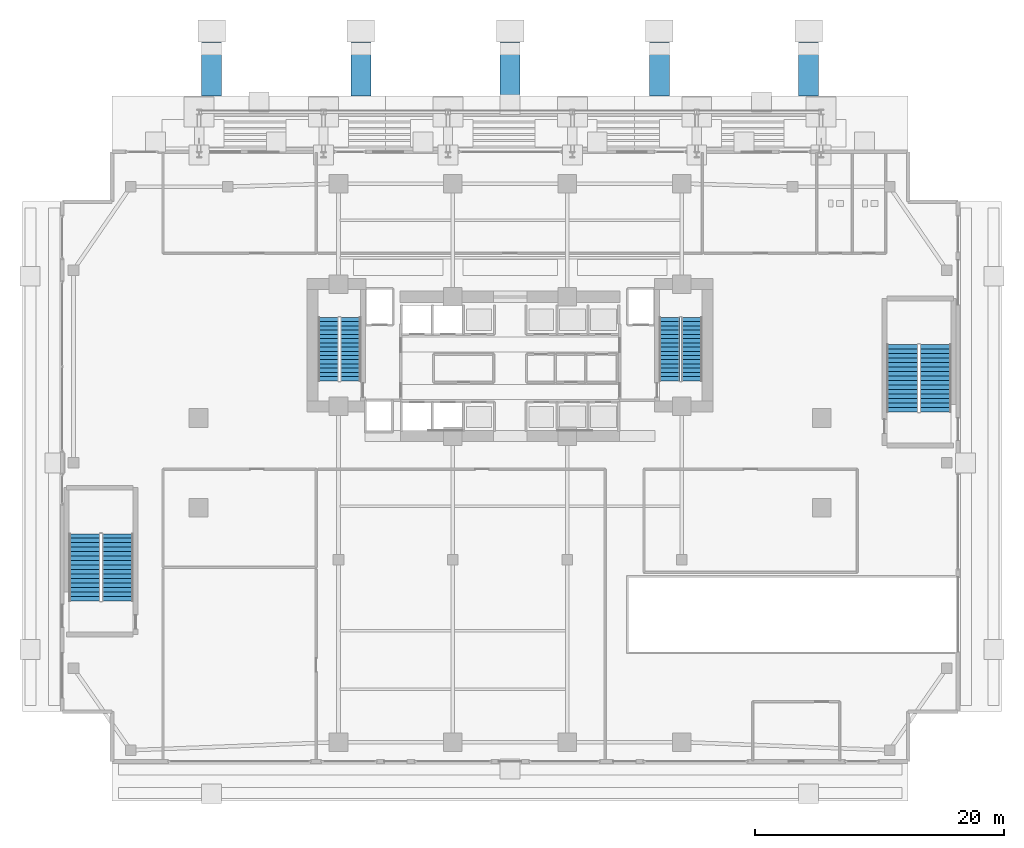
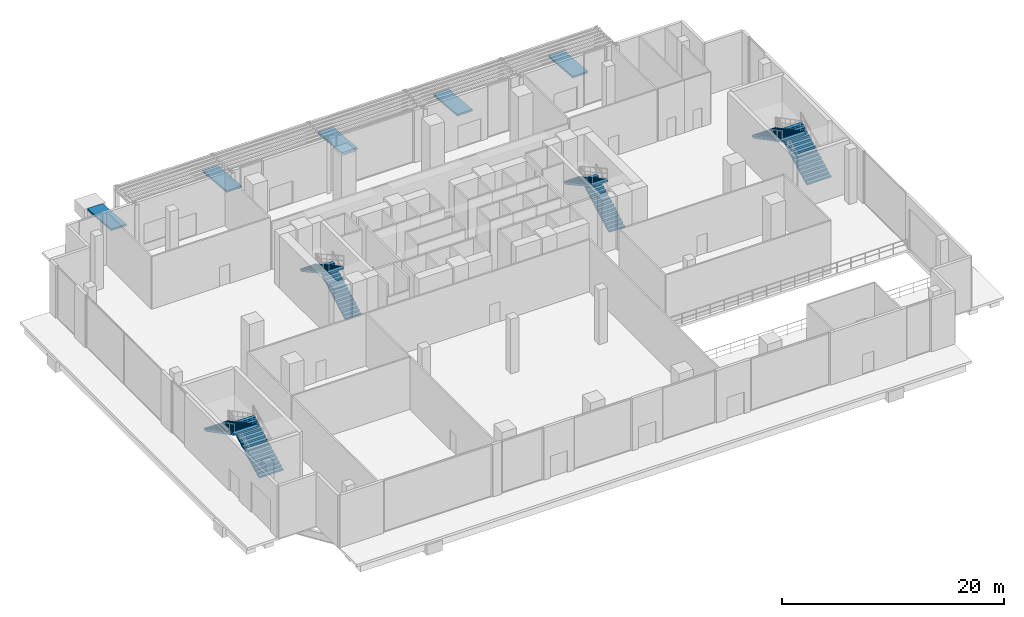
# One storey, part 32 of 39: 8 stair flights, 5 ramp flights, 9 elements without a shape of their own.
"""IFC4 building model written with IfcOpenShell, lengths in metres."""

from ifc_helpers import new_model, si_unit, direction, frame, origin, place, context, subcontext, project, spatial, polyline, outline, extrude, material, layer, layer_set, type_object, element, aggregate, save


model = new_model("IFC4")

# Units and contexts
model_context = context("Model", 3, precision=1e-05, world=origin(), true_north=direction((0.0, 1.0)))
body_context = subcontext(model_context, "Body", "Model", "MODEL_VIEW")
ifc_project = project(units=[si_unit("LENGTHUNIT", "METRE"), si_unit("AREAUNIT", "SQUARE_METRE"), si_unit("VOLUMEUNIT", "CUBIC_METRE"), si_unit("PLANEANGLEUNIT", "RADIAN"), si_unit("MASSUNIT", "GRAM", prefix="KILO")], contexts=[model_context])

# Site, building, storey
site_placement = place(None, origin())
site = spatial("IfcSite", under=ifc_project, at=site_placement, CompositionType="ELEMENT")
building_placement = place(site_placement, origin())
building = spatial("IfcBuilding", under=site, at=building_placement, Name="Zuhayl Quay Hotel", CompositionType="ELEMENT")
storey_placement = place(building_placement, origin())
storey = spatial("IfcBuildingStorey", under=building, at=storey_placement, Name="L00", CompositionType="ELEMENT", Elevation=0.0)

# Stair, stair flights
ifc_material = material(Name="Concrete C45/55", Category="concrete")
stair_type_1 = type_object("IfcStairType", Name="ST_DOGLEG_PODIUM", PredefinedType="HALF_TURN_STAIR", material=ifc_material)
stair_1_placement = place(storey_placement, origin())
stair_1 = element("IfcStair", 1, at=stair_1_placement, inside=storey, type_object=stair_type_1, Name="L00 Smokeproof Exit Stair ST3", PredefinedType="HALF_TURN_STAIR")
ifc_layer_1 = layer(ifc_material, 0.159912109375, Name="Concrete C45/55", Category="concrete")
ifc_layer_set_1 = layer_set([ifc_layer_1], Name="Concrete C45/55")
stair_flight_type_1 = type_object("IfcStairFlightType", Name="SF_CONC_160", PredefinedType="STRAIGHT", material=ifc_layer_set_1)
stair_flight_1_placement = place(storey_placement, frame((-31.550048828125, -11.10009765625, 0.0), z_axis=(0.0, 0.0, 1.0), x_axis=(0.0, 1.0, 0.0)))
stair_flight_1 = element("IfcStairFlight", 2, at=stair_flight_1_placement, type_object=stair_flight_type_1, Name="ST3 flight 1", NumberOfRisers=16, NumberOfTreads=15, PredefinedType="STRAIGHT", RiserHeight=0.1875, TreadLength=0.36, context=body_context, shape_type="SweptSolid", body=[
    extrude(outline(polyline([(0.0, 0.0), (0.0, 0.1875), (0.360107421875, 0.1875), (0.360107421875, 0.375), (0.719970703125, 0.375), (0.719970703125, 0.5625), (1.080078125, 0.5625), (1.080078125, 0.75), (1.43994140625, 0.75), (1.43994140625, 0.9375), (1.800048828125, 0.9375), (1.800048828125, 1.125), (2.159912109375, 1.125), (2.159912109375, 1.3125), (2.52001953125, 1.3125), (2.52001953125, 1.5), (2.8798828125, 1.5), (2.8798828125, 1.6875), (3.239990234375, 1.6875), (3.239990234375, 1.875), (3.60009765625, 1.875), (3.60009765625, 2.0625), (3.9599609375, 2.0625), (3.9599609375, 2.25), (4.320068359375, 2.25), (4.320068359375, 2.4375), (4.679931640625, 2.4375), (4.679931640625, 2.625), (5.0400390625, 2.625), (5.0400390625, 2.8125), (5.39990234375, 2.8125), (5.39990234375, 3.0), (5.39990234375, 2.6435546875), (0.324462890625, 0.0), (0.0, 0.0)])), frame((0.0, 1.25, 0.0), z_axis=(0.0, -1.0, 0.0), x_axis=(1.0, 0.0, 0.0)), (0.0, 0.0, 1.0), 2.5),
])
stair_flight_2_placement = place(storey_placement, frame((-34.199951171875, -5.699951171875, 3.0), z_axis=(0.0, 0.0, 1.0), x_axis=(0.0, -1.0, 0.0)))
stair_flight_2 = element("IfcStairFlight", 3, at=stair_flight_2_placement, type_object=stair_flight_type_1, Name="ST3 flight 2", NumberOfRisers=16, NumberOfTreads=15, PredefinedType="STRAIGHT", RiserHeight=0.1875, TreadLength=0.36, context=body_context, shape_type="SweptSolid", body=[
    extrude(outline(polyline([(0.0, 0.0), (0.0, 0.1875), (0.360107421875, 0.1875), (0.360107421875, 0.375), (0.719970703125, 0.375), (0.719970703125, 0.5625), (1.080078125, 0.5625), (1.080078125, 0.75), (1.43994140625, 0.75), (1.43994140625, 0.9375), (1.800048828125, 0.9375), (1.800048828125, 1.125), (2.159912109375, 1.125), (2.159912109375, 1.3125), (2.52001953125, 1.3125), (2.52001953125, 1.5), (2.8798828125, 1.5), (2.8798828125, 1.6875), (3.239990234375, 1.6875), (3.239990234375, 1.875), (3.60009765625, 1.875), (3.60009765625, 2.0625), (3.9599609375, 2.0625), (3.9599609375, 2.25), (4.320068359375, 2.25), (4.320068359375, 2.4375), (4.679931640625, 2.4375), (4.679931640625, 2.625), (5.0400390625, 2.625), (5.0400390625, 2.8125), (5.39990234375, 2.8125), (5.39990234375, 3.0), (5.39990234375, 2.6435546875), (0.324462890625, 0.0), (0.0, 0.0)])), frame((0.0, 1.25, 0.0), z_axis=(0.0, -1.0, 0.0), x_axis=(1.0, 0.0, 0.0)), (0.0, 0.0, 1.0), 2.5),
])
aggregate(stair_1, [stair_flight_1, stair_flight_2])

stair_2_placement = place(storey_placement, origin())
stair_2 = element("IfcStair", 4, at=stair_2_placement, inside=storey, type_object=stair_type_1, Name="L00 Smokeproof Exit Stair ST4", PredefinedType="HALF_TURN_STAIR")
stair_flight_3_placement = place(storey_placement, frame((34.199951171875, 4.10009765625, 0.0), z_axis=(0.0, 0.0, 1.0), x_axis=(0.0, 1.0, 0.0)))
stair_flight_3 = element("IfcStairFlight", 5, at=stair_flight_3_placement, type_object=stair_flight_type_1, Name="ST4 flight 1", NumberOfRisers=16, NumberOfTreads=15, PredefinedType="STRAIGHT", RiserHeight=0.1875, TreadLength=0.36, context=body_context, shape_type="SweptSolid", body=[
    extrude(outline(polyline([(0.0, 0.0), (0.0, 0.1875), (0.360107421875, 0.1875), (0.360107421875, 0.375), (0.719970703125, 0.375), (0.719970703125, 0.5625), (1.080078125, 0.5625), (1.080078125, 0.75), (1.43994140625, 0.75), (1.43994140625, 0.9375), (1.800048828125, 0.9375), (1.800048828125, 1.125), (2.159912109375, 1.125), (2.159912109375, 1.3125), (2.52001953125, 1.3125), (2.52001953125, 1.5), (2.8798828125, 1.5), (2.8798828125, 1.6875), (3.239990234375, 1.6875), (3.239990234375, 1.875), (3.60009765625, 1.875), (3.60009765625, 2.0625), (3.9599609375, 2.0625), (3.9599609375, 2.25), (4.320068359375, 2.25), (4.320068359375, 2.4375), (4.679931640625, 2.4375), (4.679931640625, 2.625), (5.0400390625, 2.625), (5.0400390625, 2.8125), (5.39990234375, 2.8125), (5.39990234375, 3.0), (5.39990234375, 2.6435546875), (0.324462890625, 0.0), (0.0, 0.0)])), frame((0.0, 1.25, 0.0), z_axis=(0.0, -1.0, 0.0), x_axis=(1.0, 0.0, 0.0)), (0.0, 0.0, 1.0), 2.5),
])
stair_flight_4_placement = place(storey_placement, frame((31.550048828125, 9.5, 3.0), z_axis=(0.0, 0.0, 1.0), x_axis=(0.0, -1.0, 0.0)))
stair_flight_4 = element("IfcStairFlight", 6, at=stair_flight_4_placement, type_object=stair_flight_type_1, Name="ST4 flight 2", NumberOfRisers=16, NumberOfTreads=15, PredefinedType="STRAIGHT", RiserHeight=0.1875, TreadLength=0.36, context=body_context, shape_type="SweptSolid", body=[
    extrude(outline(polyline([(0.0, 0.0), (0.0, 0.1875), (0.360107421875, 0.1875), (0.360107421875, 0.375), (0.719970703125, 0.375), (0.719970703125, 0.5625), (1.080078125, 0.5625), (1.080078125, 0.75), (1.43994140625, 0.75), (1.43994140625, 0.9375), (1.800048828125, 0.9375), (1.800048828125, 1.125), (2.159912109375, 1.125), (2.159912109375, 1.3125), (2.52001953125, 1.3125), (2.52001953125, 1.5), (2.8798828125, 1.5), (2.8798828125, 1.6875), (3.239990234375, 1.6875), (3.239990234375, 1.875), (3.60009765625, 1.875), (3.60009765625, 2.0625), (3.9599609375, 2.0625), (3.9599609375, 2.25), (4.320068359375, 2.25), (4.320068359375, 2.4375), (4.679931640625, 2.4375), (4.679931640625, 2.625), (5.0400390625, 2.625), (5.0400390625, 2.8125), (5.39990234375, 2.8125), (5.39990234375, 3.0), (5.39990234375, 2.6435546875), (0.324462890625, 0.0), (0.0, 0.0)])), frame((0.0, 1.25, 0.0), z_axis=(0.0, -1.0, 0.0), x_axis=(1.0, 0.0, 0.0)), (0.0, 0.0, 1.0), 2.5),
])
aggregate(stair_2, [stair_flight_3, stair_flight_4])

stair_type_2 = type_object("IfcStairType", Name="ST_DOGLEG_TOWER", PredefinedType="HALF_TURN_STAIR", material=ifc_material)
stair_3_placement = place(storey_placement, origin())
stair_3 = element("IfcStair", 7, at=stair_3_placement, inside=storey, type_object=stair_type_2, Name="L00 Smokeproof Exit Stair ST1", PredefinedType="HALF_TURN_STAIR")
ifc_layer_2 = layer(ifc_material, 0.159912109375, Name="Concrete C45/55", Category="concrete")
ifc_layer_set_2 = layer_set([ifc_layer_2], Name="Concrete C45/55")
stair_flight_type_2 = type_object("IfcStairFlightType", Name="SF_CONC_164", PredefinedType="STRAIGHT", material=ifc_layer_set_2)
stair_flight_5_placement = place(storey_placement, frame((-12.820068359375, 6.590087890625, 0.0), z_axis=(0.0, 0.0, 1.0), x_axis=(0.0, 1.0, 0.0)))
stair_flight_5 = element("IfcStairFlight", 8, at=stair_flight_5_placement, type_object=stair_flight_type_2, Name="ST1 flight 1", NumberOfRisers=16, NumberOfTreads=15, PredefinedType="STRAIGHT", RiserHeight=0.1875, TreadLength=0.34, context=body_context, shape_type="SweptSolid", body=[
    extrude(outline(polyline([(0.0, 0.0), (0.0, 0.1875), (0.340087890625, 0.1875), (0.340087890625, 0.375), (0.679931640625, 0.375), (0.679931640625, 0.5625), (1.02001953125, 0.5625), (1.02001953125, 0.75), (1.360107421875, 0.75), (1.360107421875, 0.9375), (1.699951171875, 0.9375), (1.699951171875, 1.125), (2.0400390625, 1.125), (2.0400390625, 1.3125), (2.3798828125, 1.3125), (2.3798828125, 1.5), (2.719970703125, 1.5), (2.719970703125, 1.6875), (3.06005859375, 1.6875), (3.06005859375, 1.875), (3.39990234375, 1.875), (3.39990234375, 2.0625), (3.739990234375, 2.0625), (3.739990234375, 2.25), (4.080078125, 2.25), (4.080078125, 2.4375), (4.419921875, 2.4375), (4.419921875, 2.625), (4.760009765625, 2.625), (4.760009765625, 2.8125), (5.10009765625, 2.8125), (5.10009765625, 3.0), (5.10009765625, 2.641357421875), (0.310302734375, 0.0), (0.0, 0.0)])), frame((0.0, 0.81982421875, 0.0), z_axis=(0.0, -1.0, 0.0), x_axis=(1.0, 0.0, 0.0)), (0.0, 0.0, 1.0), 1.639892578125),
])
stair_flight_6_placement = place(storey_placement, frame((-14.610107421875, 11.68994140625, 3.0), z_axis=(0.0, 0.0, 1.0), x_axis=(0.0, -1.0, 0.0)))
stair_flight_6 = element("IfcStairFlight", 9, at=stair_flight_6_placement, type_object=stair_flight_type_2, Name="ST1 flight 2", NumberOfRisers=16, NumberOfTreads=15, PredefinedType="STRAIGHT", RiserHeight=0.1875, TreadLength=0.34, context=body_context, shape_type="SweptSolid", body=[
    extrude(outline(polyline([(0.0, 0.0), (0.0, 0.1875), (0.340087890625, 0.1875), (0.340087890625, 0.375), (0.679931640625, 0.375), (0.679931640625, 0.5625), (1.02001953125, 0.5625), (1.02001953125, 0.75), (1.360107421875, 0.75), (1.360107421875, 0.9375), (1.699951171875, 0.9375), (1.699951171875, 1.125), (2.0400390625, 1.125), (2.0400390625, 1.3125), (2.3798828125, 1.3125), (2.3798828125, 1.5), (2.719970703125, 1.5), (2.719970703125, 1.6875), (3.06005859375, 1.6875), (3.06005859375, 1.875), (3.39990234375, 1.875), (3.39990234375, 2.0625), (3.739990234375, 2.0625), (3.739990234375, 2.25), (4.080078125, 2.25), (4.080078125, 2.4375), (4.419921875, 2.4375), (4.419921875, 2.625), (4.760009765625, 2.625), (4.760009765625, 2.8125), (5.10009765625, 2.8125), (5.10009765625, 3.0), (5.10009765625, 2.641357421875), (0.310302734375, 0.0), (0.0, 0.0)])), frame((0.0, 0.81982421875, 0.0), z_axis=(0.0, -1.0, 0.0), x_axis=(1.0, 0.0, 0.0)), (0.0, 0.0, 1.0), 1.639892578125),
])
aggregate(stair_3, [stair_flight_5, stair_flight_6])

stair_4_placement = place(storey_placement, origin())
stair_4 = element("IfcStair", 10, at=stair_4_placement, inside=storey, type_object=stair_type_2, Name="L00 Smokeproof Exit Stair ST2", PredefinedType="HALF_TURN_STAIR")
stair_flight_7_placement = place(storey_placement, frame((14.610107421875, 6.590087890625, 0.0), z_axis=(0.0, 0.0, 1.0), x_axis=(0.0, 1.0, 0.0)))
stair_flight_7 = element("IfcStairFlight", 11, at=stair_flight_7_placement, type_object=stair_flight_type_2, Name="ST2 flight 1", NumberOfRisers=16, NumberOfTreads=15, PredefinedType="STRAIGHT", RiserHeight=0.1875, TreadLength=0.34, context=body_context, shape_type="SweptSolid", body=[
    extrude(outline(polyline([(0.0, 0.0), (0.0, 0.1875), (0.340087890625, 0.1875), (0.340087890625, 0.375), (0.679931640625, 0.375), (0.679931640625, 0.5625), (1.02001953125, 0.5625), (1.02001953125, 0.75), (1.360107421875, 0.75), (1.360107421875, 0.9375), (1.699951171875, 0.9375), (1.699951171875, 1.125), (2.0400390625, 1.125), (2.0400390625, 1.3125), (2.3798828125, 1.3125), (2.3798828125, 1.5), (2.719970703125, 1.5), (2.719970703125, 1.6875), (3.06005859375, 1.6875), (3.06005859375, 1.875), (3.39990234375, 1.875), (3.39990234375, 2.0625), (3.739990234375, 2.0625), (3.739990234375, 2.25), (4.080078125, 2.25), (4.080078125, 2.4375), (4.419921875, 2.4375), (4.419921875, 2.625), (4.760009765625, 2.625), (4.760009765625, 2.8125), (5.10009765625, 2.8125), (5.10009765625, 3.0), (5.10009765625, 2.641357421875), (0.310302734375, 0.0), (0.0, 0.0)])), frame((0.0, 0.81982421875, 0.0), z_axis=(0.0, -1.0, 0.0), x_axis=(1.0, 0.0, 0.0)), (0.0, 0.0, 1.0), 1.639892578125),
])
stair_flight_8_placement = place(storey_placement, frame((12.820068359375, 11.68994140625, 3.0), z_axis=(0.0, 0.0, 1.0), x_axis=(0.0, -1.0, 0.0)))
stair_flight_8 = element("IfcStairFlight", 12, at=stair_flight_8_placement, type_object=stair_flight_type_2, Name="ST2 flight 2", NumberOfRisers=16, NumberOfTreads=15, PredefinedType="STRAIGHT", RiserHeight=0.1875, TreadLength=0.34, context=body_context, shape_type="SweptSolid", body=[
    extrude(outline(polyline([(0.0, 0.0), (0.0, 0.1875), (0.340087890625, 0.1875), (0.340087890625, 0.375), (0.679931640625, 0.375), (0.679931640625, 0.5625), (1.02001953125, 0.5625), (1.02001953125, 0.75), (1.360107421875, 0.75), (1.360107421875, 0.9375), (1.699951171875, 0.9375), (1.699951171875, 1.125), (2.0400390625, 1.125), (2.0400390625, 1.3125), (2.3798828125, 1.3125), (2.3798828125, 1.5), (2.719970703125, 1.5), (2.719970703125, 1.6875), (3.06005859375, 1.6875), (3.06005859375, 1.875), (3.39990234375, 1.875), (3.39990234375, 2.0625), (3.739990234375, 2.0625), (3.739990234375, 2.25), (4.080078125, 2.25), (4.080078125, 2.4375), (4.419921875, 2.4375), (4.419921875, 2.625), (4.760009765625, 2.625), (4.760009765625, 2.8125), (5.10009765625, 2.8125), (5.10009765625, 3.0), (5.10009765625, 2.641357421875), (0.310302734375, 0.0), (0.0, 0.0)])), frame((0.0, 0.81982421875, 0.0), z_axis=(0.0, -1.0, 0.0), x_axis=(1.0, 0.0, 0.0)), (0.0, 0.0, 1.0), 1.639892578125),
])
aggregate(stair_4, [stair_flight_7, stair_flight_8])

# Ramp, ramp flight
ifc_layer_3 = layer(ifc_material, 0.199951171875, Name="Concrete C45/55", Category="concrete")
ifc_layer_set_3 = layer_set([ifc_layer_3], Name="Concrete C45/55")
ramp_type = type_object("IfcRampType", Name="RM_PED_RAMP", PredefinedType="STRAIGHT_RUN_RAMP", material=ifc_layer_set_3)
ramp_1_placement = place(storey_placement, origin())
ramp_1 = element("IfcRamp", 13, at=ramp_1_placement, inside=storey, type_object=ramp_type, Name="Promenade Step-Free Access Ramp AR1", PredefinedType="STRAIGHT_RUN_RAMP")
ifc_layer_4 = layer(ifc_material, 0.199951171875, Name="Concrete C45/55", Category="concrete")
ifc_layer_set_4 = layer_set([ifc_layer_4], Name="Concrete C45/55")
ramp_flight_type = type_object("IfcRampFlightType", Name="RF_PED_FLIGHT_200", PredefinedType="STRAIGHT", material=ifc_layer_set_4)
ramp_flight_1_placement = place(storey_placement, frame((-24.0, 33.820068359375, -0.360107421875), z_axis=(0.0, 0.0, 1.0), x_axis=(0.0, -1.0, 0.0)))
ramp_flight_1 = element("IfcRampFlight", 14, at=ramp_flight_1_placement, type_object=ramp_flight_type, Name="Promenade Step-Free Access Ramp Flight AR1", PredefinedType="STRAIGHT", context=body_context, shape_type="SweptSolid", body=[
    extrude(outline(polyline([(0.0, -0.199951171875), (4.320068359375, 0.16015625), (4.320068359375, 0.360107421875), (0.0, 0.0), (0.0, -0.199951171875)])), frame((0.0, 0.800048828125, 0.0), z_axis=(0.0, -1.0, 0.0), x_axis=(1.0, 0.0, 0.0)), (0.0, 0.0, 1.0), 1.60009765625),
])
aggregate(ramp_1, [ramp_flight_1])

ramp_2_placement = place(storey_placement, origin())
ramp_2 = element("IfcRamp", 15, at=ramp_2_placement, inside=storey, type_object=ramp_type, Name="Promenade Step-Free Access Ramp AR2", PredefinedType="STRAIGHT_RUN_RAMP")
ramp_flight_2_placement = place(storey_placement, frame((-12.0, 33.820068359375, -0.360107421875), z_axis=(0.0, 0.0, 1.0), x_axis=(0.0, -1.0, 0.0)))
ramp_flight_2 = element("IfcRampFlight", 16, at=ramp_flight_2_placement, type_object=ramp_flight_type, Name="Promenade Step-Free Access Ramp Flight AR2", PredefinedType="STRAIGHT", context=body_context, shape_type="SweptSolid", body=[
    extrude(outline(polyline([(0.0, -0.199951171875), (4.320068359375, 0.16015625), (4.320068359375, 0.360107421875), (0.0, 0.0), (0.0, -0.199951171875)])), frame((0.0, 0.800048828125, 0.0), z_axis=(0.0, -1.0, 0.0), x_axis=(1.0, 0.0, 0.0)), (0.0, 0.0, 1.0), 1.60009765625),
])
aggregate(ramp_2, [ramp_flight_2])

ramp_3_placement = place(storey_placement, origin())
ramp_3 = element("IfcRamp", 17, at=ramp_3_placement, inside=storey, type_object=ramp_type, Name="Promenade Step-Free Access Ramp AR3", PredefinedType="STRAIGHT_RUN_RAMP")
ramp_flight_3_placement = place(storey_placement, frame((0.0, 33.820068359375, -0.360107421875), z_axis=(0.0, 0.0, 1.0), x_axis=(0.0, -1.0, 0.0)))
ramp_flight_3 = element("IfcRampFlight", 18, at=ramp_flight_3_placement, type_object=ramp_flight_type, Name="Promenade Step-Free Access Ramp Flight AR3", PredefinedType="STRAIGHT", context=body_context, shape_type="SweptSolid", body=[
    extrude(outline(polyline([(0.0, -0.199951171875), (4.320068359375, 0.16015625), (4.320068359375, 0.360107421875), (0.0, 0.0), (0.0, -0.199951171875)])), frame((0.0, 0.800048828125, 0.0), z_axis=(0.0, -1.0, 0.0), x_axis=(1.0, 0.0, 0.0)), (0.0, 0.0, 1.0), 1.60009765625),
])
aggregate(ramp_3, [ramp_flight_3])

ramp_4_placement = place(storey_placement, origin())
ramp_4 = element("IfcRamp", 19, at=ramp_4_placement, inside=storey, type_object=ramp_type, Name="Promenade Step-Free Access Ramp AR4", PredefinedType="STRAIGHT_RUN_RAMP")
ramp_flight_4_placement = place(storey_placement, frame((12.0, 33.820068359375, -0.360107421875), z_axis=(0.0, 0.0, 1.0), x_axis=(0.0, -1.0, 0.0)))
ramp_flight_4 = element("IfcRampFlight", 20, at=ramp_flight_4_placement, type_object=ramp_flight_type, Name="Promenade Step-Free Access Ramp Flight AR4", PredefinedType="STRAIGHT", context=body_context, shape_type="SweptSolid", body=[
    extrude(outline(polyline([(0.0, -0.199951171875), (4.320068359375, 0.16015625), (4.320068359375, 0.360107421875), (0.0, 0.0), (0.0, -0.199951171875)])), frame((0.0, 0.800048828125, 0.0), z_axis=(0.0, -1.0, 0.0), x_axis=(1.0, 0.0, 0.0)), (0.0, 0.0, 1.0), 1.60009765625),
])
aggregate(ramp_4, [ramp_flight_4])

ramp_5_placement = place(storey_placement, origin())
ramp_5 = element("IfcRamp", 21, at=ramp_5_placement, inside=storey, type_object=ramp_type, Name="Promenade Step-Free Access Ramp AR5", PredefinedType="STRAIGHT_RUN_RAMP")
ramp_flight_5_placement = place(storey_placement, frame((24.0, 33.820068359375, -0.360107421875), z_axis=(0.0, 0.0, 1.0), x_axis=(0.0, -1.0, 0.0)))
ramp_flight_5 = element("IfcRampFlight", 22, at=ramp_flight_5_placement, type_object=ramp_flight_type, Name="Promenade Step-Free Access Ramp Flight AR5", PredefinedType="STRAIGHT", context=body_context, shape_type="SweptSolid", body=[
    extrude(outline(polyline([(0.0, -0.199951171875), (4.320068359375, 0.16015625), (4.320068359375, 0.360107421875), (0.0, 0.0), (0.0, -0.199951171875)])), frame((0.0, 0.800048828125, 0.0), z_axis=(0.0, -1.0, 0.0), x_axis=(1.0, 0.0, 0.0)), (0.0, 0.0, 1.0), 1.60009765625),
])
aggregate(ramp_5, [ramp_flight_5])

save(model, "model.ifc")
